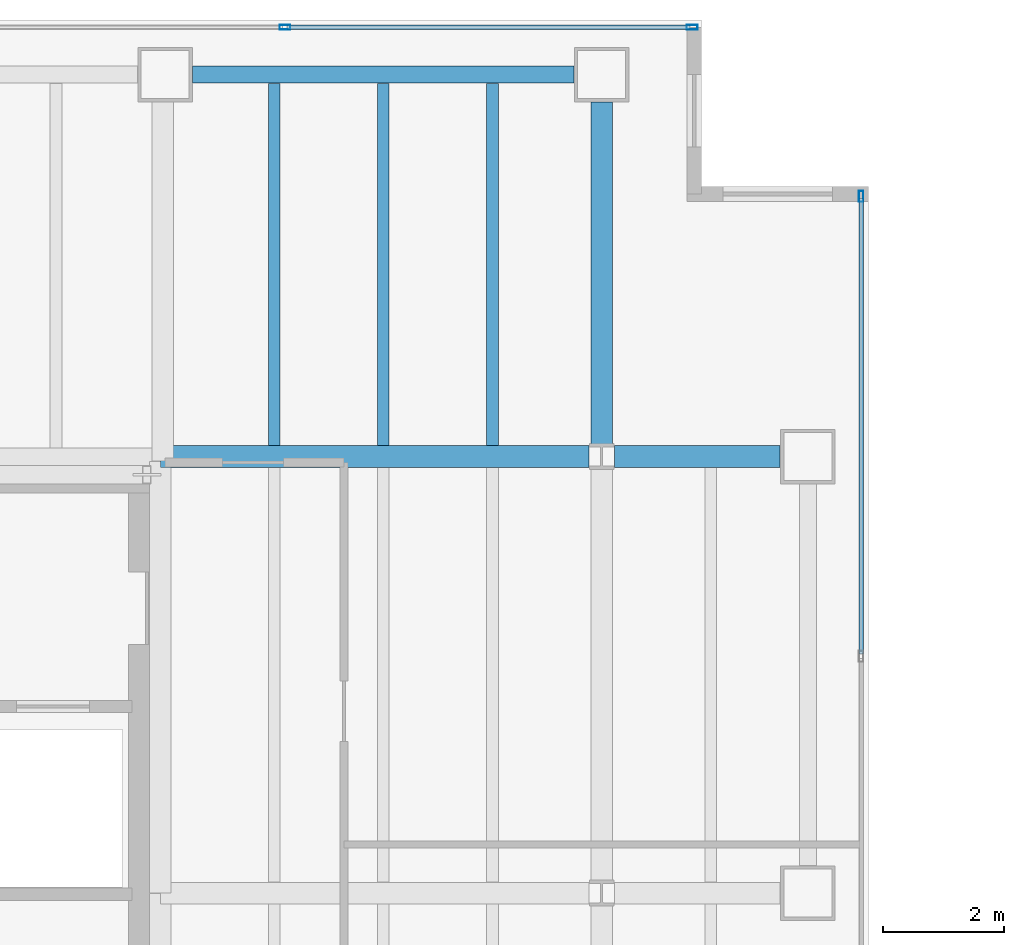
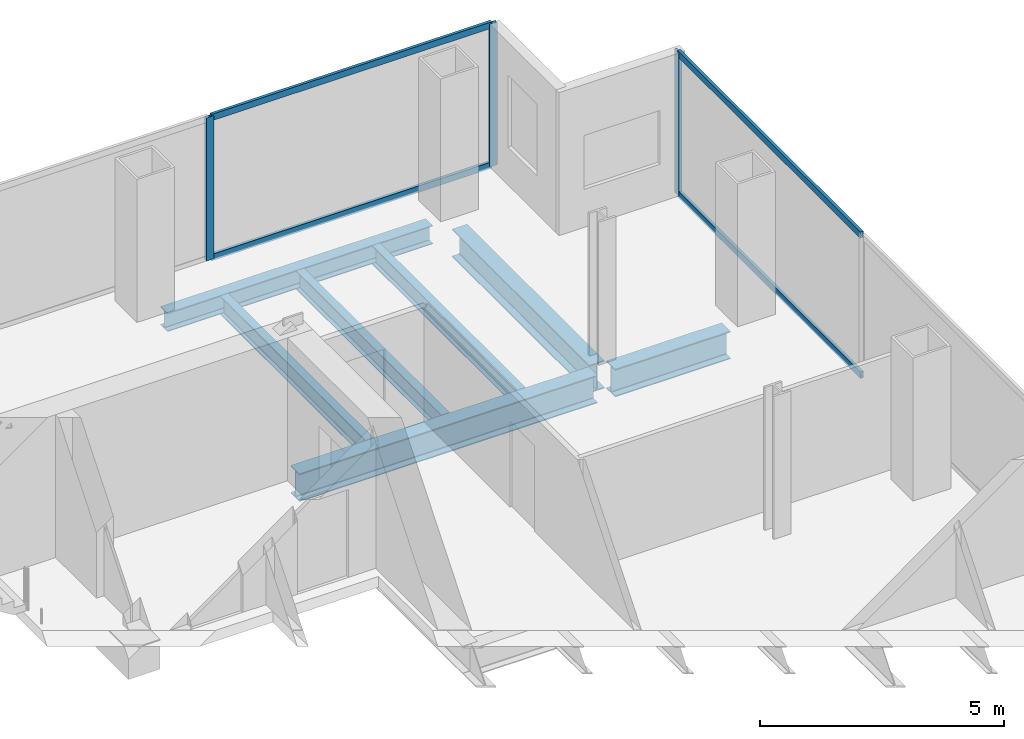
# One storey, part 18 of 24: 7 beams, 7 members, 2 elements without a shape of their own.
"""IFC4 building model written with IfcOpenShell, lengths in metres."""

from ifc_helpers import new_model, si_unit, direction, frame, origin, origin_2d, place, context, subcontext, project, spatial, hollow_rectangle, i_section, extrude, material, material_profile, profile_set, type_object, element, aggregate, save


model = new_model("IFC4")

# Units and contexts
model_context = context("Model", 3, precision=1e-05, world=origin(), true_north=direction((0.0, 1.0)))
body_context = subcontext(model_context, "Body", "Model", "MODEL_VIEW")
ifc_project = project(units=[si_unit("LENGTHUNIT", "METRE"), si_unit("AREAUNIT", "SQUARE_METRE"), si_unit("VOLUMEUNIT", "CUBIC_METRE"), si_unit("PLANEANGLEUNIT", "RADIAN"), si_unit("MASSUNIT", "GRAM", prefix="KILO")], contexts=[model_context])

# Site, building, storey
site_placement = place(None, origin())
site = spatial("IfcSite", under=ifc_project, at=site_placement, CompositionType="ELEMENT")
building_placement = place(site_placement, origin())
building = spatial("IfcBuilding", under=site, at=building_placement, Name="Cobrela Telecom Tower", CompositionType="ELEMENT")
storey_placement = place(building_placement, frame((0.0, 0.0, 121.449951171875)))
storey = spatial("IfcBuildingStorey", under=building, at=storey_placement, Name="L30", CompositionType="ELEMENT", Elevation=121.449951171875)

# Beams
ifc_material_1 = material(Name="Steel ASTM A992 Grade 50", Category="steel")
ifc_material_profile_1 = material_profile(ifc_material_1, i_section(OverallWidth=0.35595703125, OverallDepth=0.696044921875, WebThickness=0.015380859375, FlangeThickness=0.024658203125, FilletRadius=0.01806640625, at=origin_2d()), Name="W27X146")
ifc_profile_set_1 = profile_set([ifc_material_profile_1], Name="Steel ASTM A992 Grade 50")
beam_type_1 = type_object("IfcBeamType", Name="BM-GIRD-05", PredefinedType="USERDEFINED", material=ifc_profile_set_1)
beam_1_placement = place(storey_placement, frame((14.324951171875, 36.0, -0.617919921875), z_axis=(1.0, 0.0, 0.0), x_axis=(0.0, 1.0, 0.0)))
element("IfcBeam", 1, at=beam_1_placement, inside=storey, type_object=beam_type_1, Name="L30 Primary Girder X27", ObjectType="GIRDER", PredefinedType="USERDEFINED", context=body_context, shape_type="SweptSolid", body=[
    extrude(i_section(OverallWidth=0.35595703125, OverallDepth=0.696044921875, WebThickness=0.015380859375, FlangeThickness=0.024658203125, FilletRadius=0.01806640625, at=origin_2d()), origin(), (0.0, 0.0, 1.0), 7.0654296875),
])
beam_2_placement = place(storey_placement, frame((21.8095703125, 36.0, -0.617919921875), z_axis=(1.0, 0.0, 0.0), x_axis=(0.0, 1.0, 0.0)))
element("IfcBeam", 2, at=beam_2_placement, inside=storey, type_object=beam_type_1, Name="L30 Primary Girder X28", ObjectType="GIRDER", PredefinedType="USERDEFINED", context=body_context, shape_type="SweptSolid", body=[
    extrude(i_section(OverallWidth=0.35595703125, OverallDepth=0.696044921875, WebThickness=0.015380859375, FlangeThickness=0.024658203125, FilletRadius=0.01806640625, at=origin_2d()), origin(), (0.0, 0.0, 1.0), 2.7353515625),
])
beam_3_placement = place(storey_placement, frame((21.60009765625, 36.20947265625, -0.617919921875), z_axis=(0.0, 1.0, 0.0), x_axis=(-1.0, 0.0, 0.0)))
element("IfcBeam", 3, at=beam_3_placement, inside=storey, type_object=beam_type_1, Name="L30 Primary Girder Y44", ObjectType="GIRDER", PredefinedType="USERDEFINED", context=body_context, shape_type="SweptSolid", body=[
    extrude(i_section(OverallWidth=0.35595703125, OverallDepth=0.696044921875, WebThickness=0.015380859375, FlangeThickness=0.024658203125, FilletRadius=0.01806640625, at=origin_2d()), origin(), (0.0, 0.0, 1.0), 5.635498046875),
])
ifc_material_profile_2 = material_profile(ifc_material_1, i_section(OverallWidth=0.193115234375, OverallDepth=0.467041015625, WebThickness=0.011474609375, FlangeThickness=0.01904296875, FilletRadius=0.012939453125, at=origin_2d()), Name="W18X65")
ifc_profile_set_2 = profile_set([ifc_material_profile_2], Name="Steel ASTM A992 Grade 50")
beam_type_2 = type_object("IfcBeamType", Name="BM-JOIST-03", PredefinedType="JOIST", material=ifc_profile_set_2)
for number, where, z_axis, x_axis, name in (
    (4, (16.199951171875, 36.18310546875, -0.50341796875), (0.0, 1.0, 0.0), (-1.0, 0.0, 0.0), "L30 Secondary Composite Floor Beam J08"),
    (5, (18.0, 36.18310546875, -0.50341796875), (0.0, 1.0, 0.0), (-1.0, 0.0, 0.0), "L30 Secondary Composite Floor Beam J13"),
    (6, (19.800048828125, 36.18310546875, -0.50341796875), (0.0, 1.0, 0.0), (-1.0, 0.0, 0.0), "L30 Secondary Composite Floor Beam J18"),
):
    element("IfcBeam", number, at=place(storey_placement, frame(where, z_axis=z_axis, x_axis=x_axis)), inside=storey, type_object=beam_type_2, Name=name, PredefinedType="JOIST", context=body_context, shape_type="SweptSolid", body=[
        extrude(i_section(OverallWidth=0.193115234375, OverallDepth=0.467041015625, WebThickness=0.011474609375, FlangeThickness=0.01904296875, FilletRadius=0.012939453125, at=origin_2d()), origin(), (0.0, 0.0, 1.0), 5.970947265625),
    ])
ifc_material_profile_3 = material_profile(ifc_material_1, i_section(OverallWidth=0.281982421875, OverallDepth=0.467041015625, WebThickness=0.01220703125, FlangeThickness=0.01953125, FilletRadius=0.012939453125, at=origin_2d()), Name="W18X86")
ifc_profile_set_3 = profile_set([ifc_material_profile_3], Name="Steel ASTM A992 Grade 50")
beam_type_3 = type_object("IfcBeamType", Name="BM-SPAND-04", PredefinedType="SPANDREL", material=ifc_profile_set_3)
beam_4_placement = place(storey_placement, frame((14.85498046875, 42.300048828125, -0.50341796875), z_axis=(1.0, 0.0, 0.0), x_axis=(0.0, 1.0, 0.0)))
element("IfcBeam", 7, at=beam_4_placement, inside=storey, type_object=beam_type_3, Name="L30 Perimeter Spandrel X30", PredefinedType="SPANDREL", context=body_context, shape_type="SweptSolid", body=[
    extrude(i_section(OverallWidth=0.281982421875, OverallDepth=0.467041015625, WebThickness=0.01220703125, FlangeThickness=0.01953125, FilletRadius=0.012939453125, at=origin_2d()), origin(), (0.0, 0.0, 1.0), 6.2900390625),
])

# Curtain wall, members
ifc_material_2 = material(Name="Anodized Bronze Aluminium 6063-T6", Category="aluminium")
curtain_wall_type = type_object("IfcCurtainWallType", Name="CW-SYS-TEL", PredefinedType="USERDEFINED", material=ifc_material_2)
curtain_wall_1_placement = place(storey_placement, origin())
curtain_wall_1 = element("IfcCurtainWall", 8, at=curtain_wall_1_placement, inside=storey, type_object=curtain_wall_type, Name="L30 Unitised Bronze Curtain Wall 07", ObjectType="UNITISED CURTAIN WALL", PredefinedType="USERDEFINED")
ifc_material_profile_4 = material_profile(ifc_material_2, hollow_rectangle(XDim=0.074951171875, YDim=0.179931640625, WallThickness=0.00390625, at=origin_2d()), Name="ALU 75x180x4")
ifc_profile_set_4 = profile_set([ifc_material_profile_4], Name="Anodized Bronze Aluminium 6063-T6")
member_type_1 = type_object("IfcMemberType", Name="CW-SYS-TEL-MUL", PredefinedType="MULLION", material=ifc_profile_set_4)
member_1_placement = place(storey_placement, frame((16.376708984375, 43.080078125, 0.0), z_axis=(0.0, 0.0, 1.0), x_axis=(0.0, 1.0, 0.0)))
member_1 = element("IfcMember", 9, at=member_1_placement, type_object=member_type_1, Name="CW-TEL mullion 3", PredefinedType="MULLION", context=body_context, shape_type="SweptSolid", body=[
    extrude(hollow_rectangle(XDim=0.074951171875, YDim=0.179931640625, WallThickness=0.00390625, at=origin_2d()), origin(), (0.0, 0.0, 1.0), 3.580078125),
])
member_2_placement = place(storey_placement, frame((23.092529296875, 43.080078125, 0.0), z_axis=(0.0, 0.0, 1.0), x_axis=(0.0, 1.0, 0.0)))
member_2 = element("IfcMember", 10, at=member_2_placement, type_object=member_type_1, Name="CW-TEL mullion 4", PredefinedType="MULLION", context=body_context, shape_type="SweptSolid", body=[
    extrude(hollow_rectangle(XDim=0.074951171875, YDim=0.179931640625, WallThickness=0.00390625, at=origin_2d()), origin(), (0.0, 0.0, 1.0), 3.580078125),
])

# Curtain wall, member
curtain_wall_2_placement = place(storey_placement, origin())
curtain_wall_2 = element("IfcCurtainWall", 11, at=curtain_wall_2_placement, inside=storey, type_object=curtain_wall_type, Name="L30 Unitised Bronze Curtain Wall 10", ObjectType="UNITISED CURTAIN WALL", PredefinedType="USERDEFINED")
member_3_placement = place(storey_placement, frame((25.8798828125, 40.29248046875, 0.0), z_axis=(0.0, 0.0, 1.0), x_axis=(1.0, 0.0, 0.0)))
member_3 = element("IfcMember", 12, at=member_3_placement, type_object=member_type_1, Name="CW-TEL mullion 1", PredefinedType="MULLION", context=body_context, shape_type="SweptSolid", body=[
    extrude(hollow_rectangle(XDim=0.074951171875, YDim=0.179931640625, WallThickness=0.00390625, at=origin_2d()), origin(), (0.0, 0.0, 1.0), 3.580078125),
])

# Member
ifc_material_profile_5 = material_profile(ifc_material_2, hollow_rectangle(XDim=0.070068359375, YDim=0.159912109375, WallThickness=0.00390625, at=origin_2d()), Name="ALU 70x160x4")
ifc_profile_set_5 = profile_set([ifc_material_profile_5], Name="Anodized Bronze Aluminium 6063-T6")
member_type_2 = type_object("IfcMemberType", Name="CW-SYS-TEL-TRN", PredefinedType="USERDEFINED", material=ifc_profile_set_5)
member_4_placement = place(storey_placement, frame((16.4140625, 43.080078125, 0.03515625), z_axis=(1.0, 0.0, 0.0), x_axis=(0.0, 1.0, 0.0)))
member_4 = element("IfcMember", 13, at=member_4_placement, type_object=member_type_2, Name="CW-TEL transom 3.1", ObjectType="TRANSOM", PredefinedType="USERDEFINED", context=body_context, shape_type="SweptSolid", body=[
    extrude(hollow_rectangle(XDim=0.070068359375, YDim=0.159912109375, WallThickness=0.00390625, at=origin_2d()), origin(), (0.0, 0.0, 1.0), 6.640869140625),
])

member_5_placement = place(storey_placement, frame((16.4140625, 43.080078125, 3.545166015625), z_axis=(1.0, 0.0, 0.0), x_axis=(0.0, 1.0, 0.0)))
member_5 = element("IfcMember", 14, at=member_5_placement, type_object=member_type_2, Name="CW-TEL transom 3.2", ObjectType="TRANSOM", PredefinedType="USERDEFINED", context=body_context, shape_type="SweptSolid", body=[
    extrude(hollow_rectangle(XDim=0.070068359375, YDim=0.159912109375, WallThickness=0.00390625, at=origin_2d()), origin(), (0.0, 0.0, 1.0), 6.640869140625),
])

aggregate(curtain_wall_1, [member_1, member_2, member_4, member_5])

member_6_placement = place(storey_placement, frame((25.8798828125, 40.2548828125, 0.03515625), z_axis=(0.0, -1.0, 0.0), x_axis=(1.0, 0.0, 0.0)))
member_6 = element("IfcMember", 15, at=member_6_placement, type_object=member_type_2, Name="CW-TEL transom 1.1", ObjectType="TRANSOM", PredefinedType="USERDEFINED", context=body_context, shape_type="SweptSolid", body=[
    extrude(hollow_rectangle(XDim=0.070068359375, YDim=0.159912109375, WallThickness=0.00390625, at=origin_2d()), origin(), (0.0, 0.0, 1.0), 7.512451171875),
])

member_7_placement = place(storey_placement, frame((25.8798828125, 40.2548828125, 3.545166015625), z_axis=(0.0, -1.0, 0.0), x_axis=(1.0, 0.0, 0.0)))
member_7 = element("IfcMember", 16, at=member_7_placement, type_object=member_type_2, Name="CW-TEL transom 1.2", ObjectType="TRANSOM", PredefinedType="USERDEFINED", context=body_context, shape_type="SweptSolid", body=[
    extrude(hollow_rectangle(XDim=0.070068359375, YDim=0.159912109375, WallThickness=0.00390625, at=origin_2d()), origin(), (0.0, 0.0, 1.0), 7.512451171875),
])

aggregate(curtain_wall_2, [member_3, member_6, member_7])

save(model, "model.ifc")
